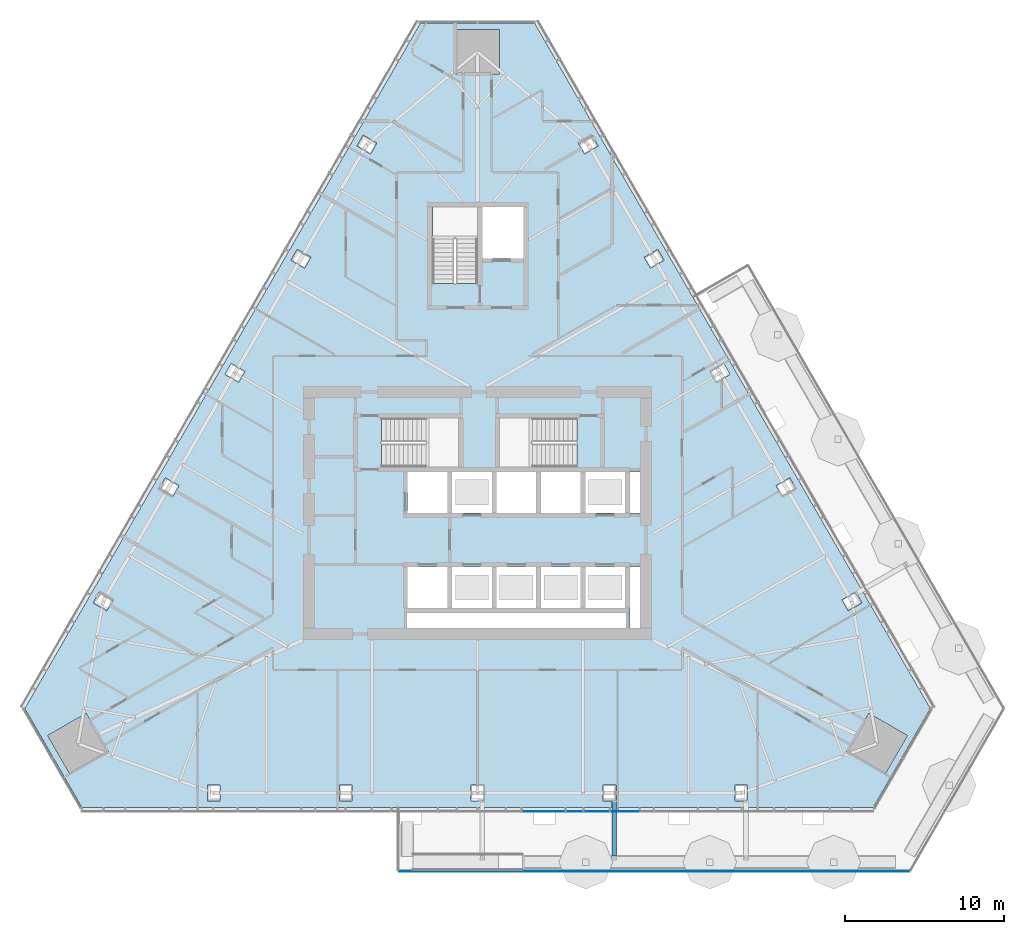
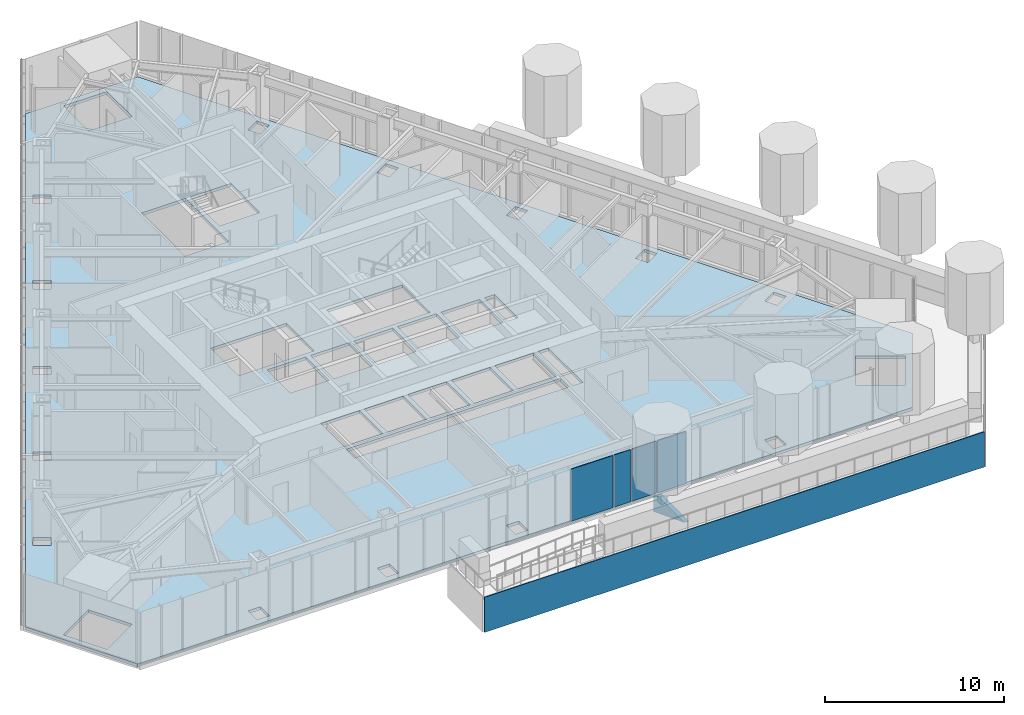
# One storey, part 8 of 18: 6 plates, 1 slab, 1 element without a shape of its own.
"""IFC4 building model written with IfcOpenShell, lengths in metres."""

from ifc_helpers import new_model, si_unit, direction, frame, origin, place, context, subcontext, project, spatial, polyline, outline, extrude, material, layer, layer_set, type_object, element, aggregate, save


model = new_model("IFC4")

# Units and contexts
model_context = context("Model", 3, precision=1e-05, world=origin(), true_north=direction((0.0, 1.0)))
body_context = subcontext(model_context, "Body", "Model", "MODEL_VIEW")
ifc_project = project(units=[si_unit("LENGTHUNIT", "METRE"), si_unit("AREAUNIT", "SQUARE_METRE"), si_unit("VOLUMEUNIT", "CUBIC_METRE"), si_unit("PLANEANGLEUNIT", "RADIAN"), si_unit("MASSUNIT", "GRAM", prefix="KILO")], contexts=[model_context])

# Site, building, storey
site_placement = place(None, origin())
site = spatial("IfcSite", under=ifc_project, at=site_placement, CompositionType="ELEMENT")
building_placement = place(site_placement, origin())
building = spatial("IfcBuilding", under=site, at=building_placement, Name="Firuza Gate Tower and Library", CompositionType="ELEMENT")
storey_placement = place(building_placement, frame((0.0, 0.0, 226.0)))
storey = spatial("IfcBuildingStorey", under=building, at=storey_placement, Name="L53", CompositionType="ELEMENT", Elevation=226.0)

# Slab
ifc_material_1 = material(Name="Concrete C40/50", Category="concrete")
ifc_layer_1 = layer(ifc_material_1, 0.199951171875)
ifc_layer_set_1 = layer_set([ifc_layer_1], Name="Composite floor slab 200 C40/50")
slab_type = type_object("IfcSlabType", Name="Composite floor slab 200 C40/50", PredefinedType="FLOOR", material=ifc_layer_set_1)
slab_placement = place(storey_placement, frame((0.0, 0.0, -0.199951171875)))
element("IfcSlab", 1, at=slab_placement, inside=storey, type_object=slab_type, Name="Floor slab L53", PredefinedType="FLOOR", context=body_context, shape_type="SweptSolid", body=[
    extrude(outline(polyline([(46.447265625, 62.671875), (50.047119140625, 56.4365234375), (99.952880859375, 56.4365234375), (103.552734375, 62.671875), (78.60009765625, 105.891357421875), (71.39990234375, 105.891357421875), (46.447265625, 62.671875)]), holes=[polyline([(57.96484375, 56.836669921875), (57.96484375, 57.836669921875), (58.764892578125, 57.836669921875), (58.764892578125, 56.836669921875), (57.96484375, 56.836669921875)]), polyline([(74.60009765625, 56.836669921875), (74.60009765625, 57.836669921875), (75.39990234375, 57.836669921875), (75.39990234375, 56.836669921875), (74.60009765625, 56.836669921875)]), polyline([(66.282470703125, 56.836669921875), (66.282470703125, 57.836669921875), (67.08251953125, 57.836669921875), (67.08251953125, 56.836669921875), (66.282470703125, 56.836669921875)]), polyline([(47.8935546875, 60.966796875), (50.318603515625, 62.36669921875), (51.718505859375, 59.94189453125), (49.293701171875, 58.541748046875), (47.8935546875, 60.966796875)]), polyline([(84.35009765625, 67.75), (70.550048828125, 67.75), (70.550048828125, 68.699951171875), (84.35009765625, 68.699951171875), (84.35009765625, 67.75)]), polyline([(51.15234375, 70.021728515625), (52.0185546875, 69.521728515625), (51.618408203125, 68.828857421875), (50.75244140625, 69.328857421875), (51.15234375, 70.021728515625)]), polyline([(73.10009765625, 69.0), (70.60009765625, 69.0), (70.60009765625, 71.60009765625), (73.10009765625, 71.60009765625), (73.10009765625, 69.0)]), polyline([(75.89990234375, 69.0), (73.39990234375, 69.0), (73.39990234375, 71.60009765625), (75.89990234375, 71.60009765625), (75.89990234375, 69.0)]), polyline([(73.10009765625, 75.0), (70.60009765625, 75.0), (70.60009765625, 77.60009765625), (73.10009765625, 77.60009765625), (73.10009765625, 75.0)]), polyline([(75.89990234375, 75.0), (73.39990234375, 75.0), (73.39990234375, 77.60009765625), (75.89990234375, 77.60009765625), (75.89990234375, 75.0)]), polyline([(55.311279296875, 77.224853515625), (56.17724609375, 76.724853515625), (55.77734375, 76.031982421875), (54.9111328125, 76.531982421875), (55.311279296875, 77.224853515625)]), polyline([(73.81005859375, 77.89990234375), (68.9404296875, 77.89990234375), (68.9404296875, 80.97998046875), (73.81005859375, 80.97998046875), (73.81005859375, 77.89990234375)]), polyline([(59.469970703125, 84.42822265625), (60.3359375, 83.92822265625), (59.93603515625, 83.2353515625), (59.070068359375, 83.7353515625), (59.469970703125, 84.42822265625)]), polyline([(63.62890625, 91.63134765625), (64.494873046875, 91.13134765625), (64.0947265625, 90.4384765625), (63.228759765625, 90.9384765625), (63.62890625, 91.63134765625)]), polyline([(72.159912109375, 89.470458984375), (72.159912109375, 94.300048828125), (75.0, 94.300048828125), (75.0, 89.470458984375), (72.159912109375, 89.470458984375)]), polyline([(75.300048828125, 91.050048828125), (75.300048828125, 94.300048828125), (77.89990234375, 94.300048828125), (77.89990234375, 91.050048828125), (75.300048828125, 91.050048828125)]), polyline([(68.653564453125, 98.334716796875), (68.253662109375, 97.641845703125), (67.3876953125, 98.141845703125), (67.78759765625, 98.834716796875), (68.653564453125, 98.334716796875)]), polyline([(76.39990234375, 105.491455078125), (76.39990234375, 102.69140625), (73.60009765625, 102.69140625), (73.60009765625, 105.491455078125), (76.39990234375, 105.491455078125)]), polyline([(91.235107421875, 56.836669921875), (91.235107421875, 57.836669921875), (92.03515625, 57.836669921875), (92.03515625, 56.836669921875), (91.235107421875, 56.836669921875)]), polyline([(82.91748046875, 56.836669921875), (82.91748046875, 57.836669921875), (83.717529296875, 57.836669921875), (83.717529296875, 56.836669921875), (82.91748046875, 56.836669921875)]), polyline([(100.706298828125, 58.541748046875), (98.281494140625, 59.94189453125), (99.681396484375, 62.36669921875), (102.1064453125, 60.966796875), (100.706298828125, 58.541748046875)]), polyline([(99.24755859375, 69.328857421875), (98.381591796875, 68.828857421875), (97.9814453125, 69.521728515625), (98.84765625, 70.021728515625), (99.24755859375, 69.328857421875)]), polyline([(85.25, 67.75), (84.60009765625, 67.75), (84.60009765625, 71.60009765625), (85.25, 71.60009765625), (85.25, 67.75)]), polyline([(81.5, 69.0), (79.0, 69.0), (79.0, 71.60009765625), (81.5, 71.60009765625), (81.5, 69.0)]), polyline([(81.800048828125, 69.0), (81.800048828125, 71.60009765625), (84.300048828125, 71.60009765625), (84.300048828125, 69.0), (81.800048828125, 69.0)]), polyline([(76.199951171875, 69.0), (76.199951171875, 71.60009765625), (78.699951171875, 71.60009765625), (78.699951171875, 69.0), (76.199951171875, 69.0)]), polyline([(81.5, 75.0), (79.0, 75.0), (79.0, 77.60009765625), (81.5, 77.60009765625), (81.5, 75.0)]), polyline([(84.300048828125, 75.0), (81.800048828125, 75.0), (81.800048828125, 77.60009765625), (84.300048828125, 77.60009765625), (84.300048828125, 75.0)]), polyline([(85.25, 75.0), (84.60009765625, 75.0), (84.60009765625, 77.60009765625), (85.25, 77.60009765625), (85.25, 75.0)]), polyline([(78.699951171875, 75.0), (76.199951171875, 75.0), (76.199951171875, 77.60009765625), (78.699951171875, 77.60009765625), (78.699951171875, 75.0)]), polyline([(95.0888671875, 76.531982421875), (94.22265625, 76.031982421875), (93.82275390625, 76.724853515625), (94.688720703125, 77.224853515625), (95.0888671875, 76.531982421875)]), polyline([(81.259521484375, 77.89990234375), (76.389892578125, 77.89990234375), (76.389892578125, 80.97998046875), (81.259521484375, 80.97998046875), (81.259521484375, 77.89990234375)]), polyline([(90.929931640625, 83.7353515625), (90.06396484375, 83.2353515625), (89.6640625, 83.92822265625), (90.530029296875, 84.42822265625), (90.929931640625, 83.7353515625)]), polyline([(85.9052734375, 90.4384765625), (85.505126953125, 91.13134765625), (86.37109375, 91.63134765625), (86.771240234375, 90.9384765625), (85.9052734375, 90.4384765625)]), polyline([(81.746337890625, 97.641845703125), (81.346435546875, 98.334716796875), (82.21240234375, 98.834716796875), (82.6123046875, 98.141845703125), (81.746337890625, 97.641845703125)])]), origin(), (0.0, 0.0, 1.0), 0.199951171875),
])

# Curtain wall, plates
ifc_material_2 = material(Name="Aluminium 6063-T6", Category="aluminium")
ifc_layer_2 = layer(ifc_material_2, 0.14990234375)
ifc_layer_set_2 = layer_set([ifc_layer_2], Name="Unitised curtain wall, hotel")
curtain_wall_type = type_object("IfcCurtainWallType", Name="Unitised curtain wall, hotel", PredefinedType="NOTDEFINED", material=ifc_layer_set_2)
curtain_wall_placement = place(storey_placement, origin())
curtain_wall = element("IfcCurtainWall", 2, at=curtain_wall_placement, inside=storey, type_object=curtain_wall_type, Name="CW2 L53 S face", PredefinedType="NOTDEFINED")
ifc_material_3 = material(Name="Fritted glass", Category="glass")
ifc_layer_3 = layer(ifc_material_3, 0.030029296875)
ifc_layer_set_3 = layer_set([ifc_layer_3], Name="Fritted glass unit, hotel")
plate_type_1 = type_object("IfcPlateType", Name="Fritted glass unit, hotel", PredefinedType="CURTAIN_PANEL", material=ifc_layer_set_3)
plate_1_placement = place(storey_placement, frame((81.716552734375, 56.176513671875, 0.14990234375), z_axis=(0.0, -1.0, 0.0), x_axis=(1.0, 0.0, 0.0)))
plate_1 = element("IfcPlate", 3, at=plate_1_placement, type_object=plate_type_1, Name="Glass unit", PredefinedType="CURTAIN_PANEL", context=body_context, shape_type="SweptSolid", body=[
    extrude(outline(polyline([(0.0, 0.0), (1.575439453125, 0.0), (1.575439453125, 3.550048828125), (0.0, 3.550048828125), (0.0, 0.0)])), origin(), (0.0, 0.0, -1.0), 0.030029296875),
])
plate_2_placement = place(storey_placement, frame((83.3720703125, 56.176513671875, 0.14990234375), z_axis=(0.0, -1.0, 0.0), x_axis=(1.0, 0.0, 0.0)))
plate_2 = element("IfcPlate", 4, at=plate_2_placement, type_object=plate_type_1, Name="Glass unit", PredefinedType="CURTAIN_PANEL", context=body_context, shape_type="SweptSolid", body=[
    extrude(outline(polyline([(0.0, 0.0), (1.82275390625, 0.0), (1.82275390625, 3.550048828125), (0.0, 3.550048828125), (0.0, 0.0)])), origin(), (0.0, 0.0, -1.0), 0.030029296875),
])
ifc_material_4 = material(Name="Glazed ceramic tile")
ifc_layer_4 = layer(ifc_material_4, 0.030029296875)
ifc_layer_set_4 = layer_set([ifc_layer_4], Name="Opaque ceramic panel, hotel")
plate_type_2 = type_object("IfcPlateType", Name="Opaque ceramic panel, hotel", PredefinedType="CURTAIN_PANEL", material=ifc_layer_set_4)
plate_3_placement = place(storey_placement, frame((77.8173828125, 56.176513671875, 0.14990234375), z_axis=(0.0, -1.0, 0.0), x_axis=(1.0, 0.0, 0.0)))
plate_3 = element("IfcPlate", 5, at=plate_3_placement, type_object=plate_type_2, Name="Opaque ceramic panel", PredefinedType="CURTAIN_PANEL", context=body_context, shape_type="SweptSolid", body=[
    extrude(outline(polyline([(0.0, 0.0), (2.697265625, 0.0), (2.697265625, 3.550048828125), (0.0, 3.550048828125), (0.0, 0.0)])), origin(), (0.0, 0.0, -1.0), 0.030029296875),
])
plate_4_placement = place(storey_placement, frame((80.5947265625, 56.176513671875, 0.14990234375), z_axis=(0.0, -1.0, 0.0), x_axis=(1.0, 0.0, 0.0)))
plate_4 = element("IfcPlate", 6, at=plate_4_placement, type_object=plate_type_2, Name="Opaque ceramic panel", PredefinedType="CURTAIN_PANEL", context=body_context, shape_type="SweptSolid", body=[
    extrude(outline(polyline([(0.0, 0.0), (1.041748046875, 0.0), (1.041748046875, 3.550048828125), (0.0, 3.550048828125), (0.0, 0.0)])), origin(), (0.0, 0.0, -1.0), 0.030029296875),
])
aggregate(curtain_wall, [plate_3, plate_4, plate_1, plate_2])

# Plates
ifc_material_5 = material(Name="Steel S355", Category="steel")
ifc_layer_5 = layer(ifc_material_5, 0.300048828125)
ifc_layer_set_5 = layer_set([ifc_layer_5], Name="Tray bracket web 300 Steel S355")
plate_type_3 = type_object("IfcPlateType", Name="Tray bracket web 300 Steel S355", PredefinedType="SHEET", material=ifc_layer_set_5)
plate_5_placement = place(storey_placement, frame((83.76806640625, 56.802001953125, -0.199951171875), z_axis=(1.0, 0.0, 0.0), x_axis=(0.0, -1.0, 0.0)))
element("IfcPlate", 7, at=plate_5_placement, inside=storey, type_object=plate_type_3, Name="Tray bracket web L53 col:L52:S4", PredefinedType="SHEET", context=body_context, shape_type="SweptSolid", body=[
    extrude(outline(polyline([(0.0, 0.0), (3.429931640625, 0.0), (0.0, 1.333984375), (0.0, 0.0)])), origin(), (0.0, 0.0, -1.0), 0.300048828125),
])
ifc_material_6 = material(Name="Aluminium 6063-T6", Category="aluminium")
ifc_layer_6 = layer(ifc_material_6, 0.050048828125)
ifc_layer_set_6 = layer_set([ifc_layer_6], Name="Tray fascia panel 50")
plate_type_4 = type_object("IfcPlateType", Name="Tray fascia panel 50", PredefinedType="SHEET", material=ifc_layer_set_6)
plate_6_placement = place(storey_placement, frame((70.055908203125, 52.386962890625, -2.39990234375), z_axis=(0.0, -1.0, 0.0), x_axis=(1.0, 0.0, 0.0)))
element("IfcPlate", 8, at=plate_6_placement, inside=storey, type_object=plate_type_4, Name="Tray fascia L53 1", PredefinedType="SHEET", context=body_context, shape_type="SweptSolid", body=[
    extrude(outline(polyline([(0.0, 0.0), (32.176025390625, 0.0), (32.176025390625, 2.39990234375), (0.0, 2.39990234375), (0.0, 0.0)])), origin(), (0.0, 0.0, -1.0), 0.050048828125),
])

save(model, "model.ifc")
